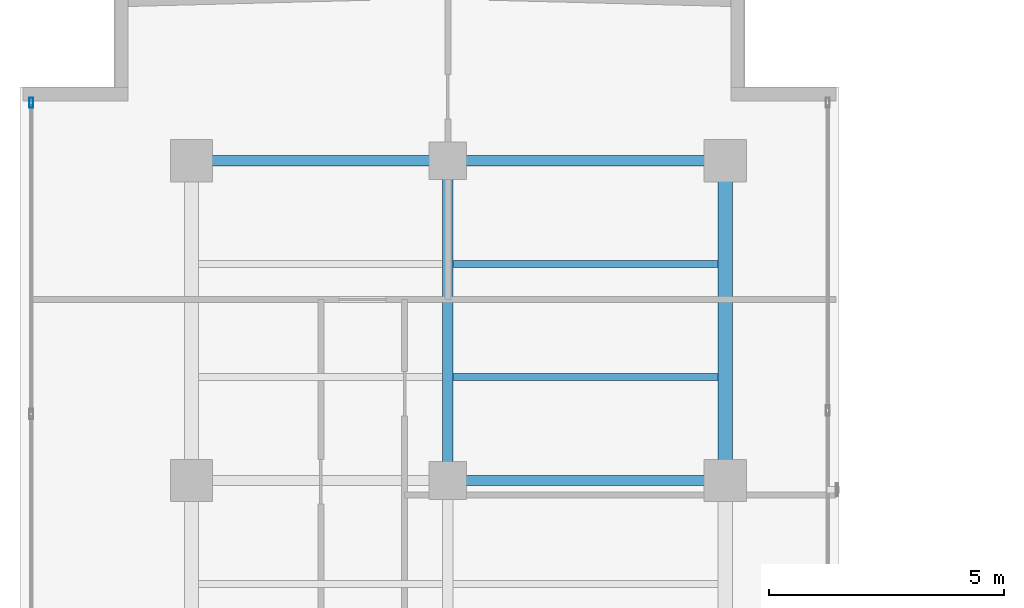
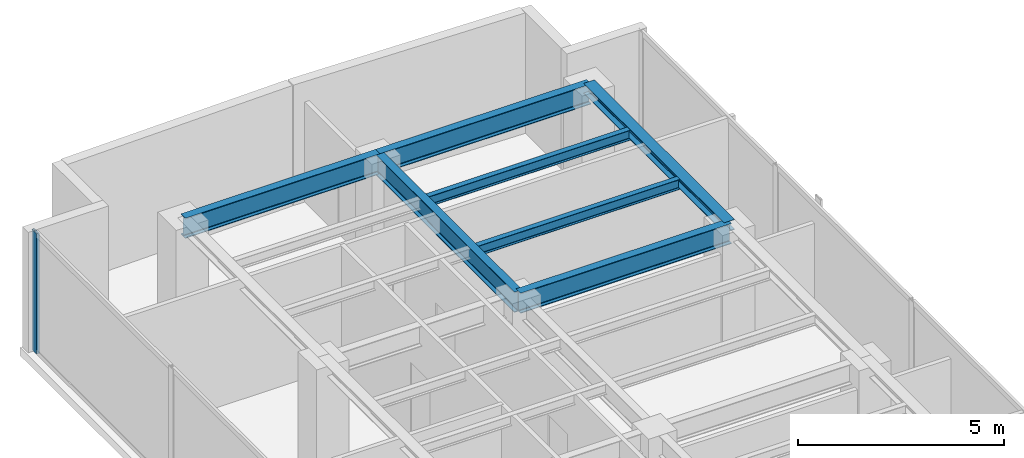
# One storey, part 14 of 22: 7 beams, 1 member, 1 element without a shape of its own.
"""IFC4 building model written with IfcOpenShell, lengths in metres."""

from ifc_helpers import new_model, si_unit, direction, frame, origin, origin_with_axes, origin_2d, place, context, subcontext, project, spatial, hollow_rectangle, i_section, extrude, source, transform, mapped, material, layer, layer_set, material_profile, profile_set, type_object, element, aggregate, save


model = new_model("IFC4")

# Units and contexts
model_context = context("Model", 3, precision=1e-05, world=origin(), true_north=direction((0.0, 1.0)))
body_context = subcontext(model_context, "Body", "Model", "MODEL_VIEW")
ifc_project = project(units=[si_unit("LENGTHUNIT", "METRE"), si_unit("AREAUNIT", "SQUARE_METRE"), si_unit("VOLUMEUNIT", "CUBIC_METRE"), si_unit("PLANEANGLEUNIT", "RADIAN"), si_unit("MASSUNIT", "GRAM", prefix="KILO")], contexts=[model_context])

# Site, building, storey
site_placement = place(None, origin())
site = spatial("IfcSite", under=ifc_project, at=site_placement, CompositionType="ELEMENT")
building_placement = place(site_placement, origin())
building = spatial("IfcBuilding", under=site, at=building_placement, Name="Kolvaren Waterfront Exchange", CompositionType="ELEMENT")
storey_placement = place(building_placement, frame((0.0, 0.0, 327.39990234375)))
storey = spatial("IfcBuildingStorey", under=building, at=storey_placement, Name="L84", CompositionType="ELEMENT", Elevation=327.39990234375)

# Beams
ifc_material_1 = material(Name="Steel S355", Category="steel")
ifc_material_profile_1 = material_profile(ifc_material_1, i_section(OverallWidth=0.300048828125, OverallDepth=0.300048828125, WebThickness=0.010986328125, FlangeThickness=0.01904296875, FilletRadius=0.027099609375, at=origin_2d()), Name="HEB300")
ifc_profile_set_1 = profile_set([ifc_material_profile_1], Name="Steel S355")
beam_type_1 = type_object("IfcBeamType", Name="STR-BM-HEB300", PredefinedType="SPANDREL", material=ifc_profile_set_1)
beam_1_placement = place(storey_placement, frame((18.800048828125, 37.800048828125, 3.41015625), z_axis=(0.0, 1.0, 0.0), x_axis=(-1.0, 0.0, 0.0)))
element("IfcBeam", 1, at=beam_1_placement, inside=storey, type_object=beam_type_1, Name="L84 north-arm edge beam 3", PredefinedType="SPANDREL", context=body_context, shape_type="SweptSolid", body=[
    extrude(i_section(OverallWidth=0.300048828125, OverallDepth=0.300048828125, WebThickness=0.010986328125, FlangeThickness=0.01904296875, FilletRadius=0.027099609375, at=origin_2d()), origin(), (0.0, 0.0, 1.0), 6.800048828125),
])
ifc_material_profile_2 = material_profile(ifc_material_1, i_section(OverallWidth=0.14990234375, OverallDepth=0.300048828125, WebThickness=0.007080078125, FlangeThickness=0.0107421875, FilletRadius=0.014892578125, at=origin_2d()), Name="IPE300")
ifc_profile_set_2 = profile_set([ifc_material_profile_2], Name="Steel S355")
beam_type_2 = type_object("IfcBeamType", Name="STR-BM-IPE300", PredefinedType="JOIST", material=ifc_profile_set_2)
for number, where, z_axis, x_axis, name in (
    (2, (13.011962890625, 40.0, 3.41015625), (1.0, 0.0, 0.0), (0.0, 1.0, 0.0), "L84 north-arm composite joist 5B"),
    (3, (13.011962890625, 42.39990234375, 3.41015625), (1.0, 0.0, 0.0), (0.0, 1.0, 0.0), "L84 north-arm composite joist 6B"),
):
    element("IfcBeam", number, at=place(storey_placement, frame(where, z_axis=z_axis, x_axis=x_axis)), inside=storey, type_object=beam_type_2, Name=name, PredefinedType="JOIST", context=body_context, shape_type="SweptSolid", body=[
        extrude(i_section(OverallWidth=0.14990234375, OverallDepth=0.300048828125, WebThickness=0.007080078125, FlangeThickness=0.0107421875, FilletRadius=0.014892578125, at=origin_2d()), origin(), (0.0, 0.0, 1.0), 5.635986328125),
    ])
ifc_material_profile_3 = material_profile(ifc_material_1, i_section(OverallWidth=0.219970703125, OverallDepth=0.60009765625, WebThickness=0.011962890625, FlangeThickness=0.01904296875, FilletRadius=0.02392578125, at=origin_2d()), Name="IPE600")
ifc_profile_set_3 = profile_set([ifc_material_profile_3], Name="Steel S355")
beam_type_3 = type_object("IfcBeamType", Name="STR-BM-IPE600", PredefinedType="BEAM", material=ifc_profile_set_3)
beam_2_placement = place(storey_placement, frame((12.89990234375, 37.800048828125, 3.260009765625), z_axis=(1.0, 0.0, 0.0), x_axis=(0.0, 1.0, 0.0)))
element("IfcBeam", 4, at=beam_2_placement, inside=storey, type_object=beam_type_3, Name="L84 north-arm girder 3B", PredefinedType="BEAM", context=body_context, shape_type="SweptSolid", body=[
    extrude(i_section(OverallWidth=0.219970703125, OverallDepth=0.60009765625, WebThickness=0.011962890625, FlangeThickness=0.01904296875, FilletRadius=0.02392578125, at=origin_2d()), origin(), (0.0, 0.0, 1.0), 5.900146484375),
])
beam_3_placement = place(storey_placement, frame((7.449951171875, 44.60009765625, 3.260009765625), z_axis=(1.0, 0.0, 0.0), x_axis=(0.0, 1.0, 0.0)))
element("IfcBeam", 5, at=beam_3_placement, inside=storey, type_object=beam_type_3, Name="L84 north-arm girder 4A", PredefinedType="BEAM", context=body_context, shape_type="SweptSolid", body=[
    extrude(i_section(OverallWidth=0.219970703125, OverallDepth=0.60009765625, WebThickness=0.011962890625, FlangeThickness=0.01904296875, FilletRadius=0.02392578125, at=origin_2d()), origin(), (0.0, 0.0, 1.0), 5.449951171875),
])
beam_4_placement = place(storey_placement, frame((12.89990234375, 44.60009765625, 3.260009765625), z_axis=(1.0, 0.0, 0.0), x_axis=(0.0, 1.0, 0.0)))
element("IfcBeam", 6, at=beam_4_placement, inside=storey, type_object=beam_type_3, Name="L84 north-arm girder 4B", PredefinedType="BEAM", context=body_context, shape_type="SweptSolid", body=[
    extrude(i_section(OverallWidth=0.219970703125, OverallDepth=0.60009765625, WebThickness=0.011962890625, FlangeThickness=0.01904296875, FilletRadius=0.02392578125, at=origin_2d()), origin(), (0.0, 0.0, 1.0), 5.900146484375),
])
beam_5_placement = place(storey_placement, frame((12.89990234375, 37.800048828125, 3.260009765625), z_axis=(0.0, 1.0, 0.0), x_axis=(-1.0, 0.0, 0.0)))
element("IfcBeam", 7, at=beam_5_placement, inside=storey, type_object=beam_type_3, Name="L84 north-arm edge beam 3", PredefinedType="BEAM", context=body_context, shape_type="SweptSolid", body=[
    extrude(i_section(OverallWidth=0.219970703125, OverallDepth=0.60009765625, WebThickness=0.011962890625, FlangeThickness=0.01904296875, FilletRadius=0.02392578125, at=origin_2d()), origin(), (0.0, 0.0, 1.0), 6.800048828125),
])

# Curtain wall, member
ifc_material_2 = material(Name="Anodised aluminium 6063-T6", Category="aluminium")
ifc_layer = layer(ifc_material_2, 0.219970703125, Name="Anodised aluminium 6063-T6")
ifc_layer_set = layer_set([ifc_layer], Name="Anodised aluminium 6063-T6")
curtain_wall_type = type_object("IfcCurtainWallType", Name="ARC-CW-SYS2", PredefinedType="USERDEFINED", material=ifc_layer_set)
curtain_wall_placement = place(storey_placement, origin())
curtain_wall = element("IfcCurtainWall", 8, at=curtain_wall_placement, inside=storey, type_object=curtain_wall_type, Name="L84 stick curtain wall CW2 (CW-L84-W)", ObjectType="STICK CURTAIN WALL", PredefinedType="USERDEFINED")
ifc_material_profile_4 = material_profile(ifc_material_2, hollow_rectangle(XDim=0.080078125, YDim=0.219970703125, WallThickness=0.0048828125, at=origin_2d()), Name="ALU-MUL-220x80x5")
ifc_profile_set_4 = profile_set([ifc_material_profile_4], Name="Anodised aluminium 6063-T6")
member_type = type_object("IfcMemberType", Name="ARC-CWM-220", PredefinedType="MULLION", material=ifc_profile_set_4)
shared_shape = source(origin_with_axes(), body_context, "Body", "SweptSolid", [
    extrude(hollow_rectangle(XDim=0.080078125, YDim=0.219970703125, WallThickness=0.0048828125, at=origin_2d()), origin(), (0.0, 0.0, 1.0), 3.56005859375),
])
member_placement = place(storey_placement, frame((4.0400390625, 45.833740234375, 0.0), z_axis=(0.0, 0.0, 1.0), x_axis=(-1.0, 0.0, 0.0)))
member = element("IfcMember", 9, at=member_placement, type_object=member_type, Name="CW2 mullion 7", PredefinedType="MULLION", context=body_context, shape_type="MappedRepresentation", body=[
    mapped(shared_shape, transform((0.0, 0.0, 0.0), x_axis=(1.0, 0.0, 0.0), y_axis=(0.0, 1.0, 0.0), z_axis=(0.0, 0.0, 1.0), scale=1.0)),
])
aggregate(curtain_wall, [member])

save(model, "model.ifc")
